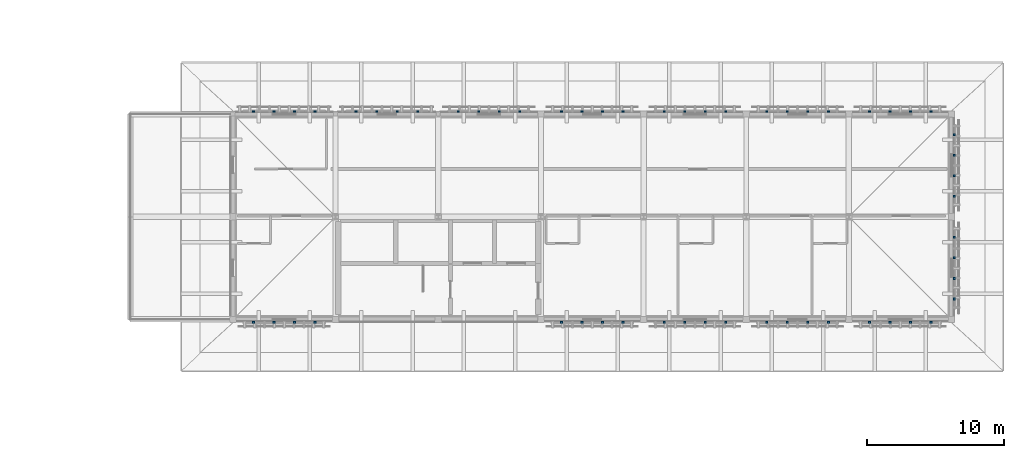
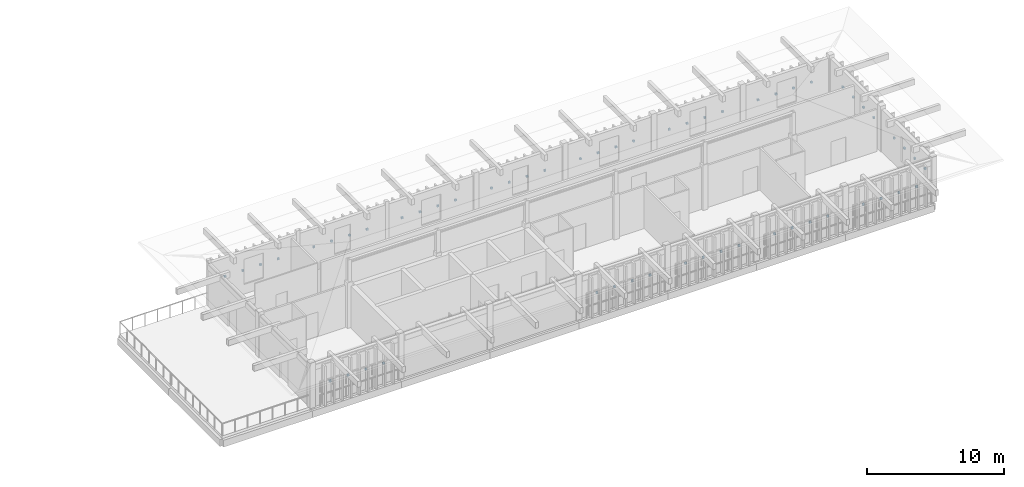
# One storey, part 21 of 33: 56 discrete accessories.
"""IFC4 building model written with IfcOpenShell, lengths in metres."""

from ifc_helpers import new_model, si_unit, direction, frame, origin, origin_2d, place, context, subcontext, project, spatial, rectangle, extrude, material, type_object, element, save


model = new_model("IFC4")

# Units and contexts
model_context = context("Model", 3, precision=1e-05, world=origin(), true_north=direction((0.0, 1.0)))
body_context = subcontext(model_context, "Body", "Model", "MODEL_VIEW")
ifc_project = project(units=[si_unit("LENGTHUNIT", "METRE"), si_unit("AREAUNIT", "SQUARE_METRE"), si_unit("VOLUMEUNIT", "CUBIC_METRE"), si_unit("PLANEANGLEUNIT", "RADIAN"), si_unit("MASSUNIT", "GRAM", prefix="KILO")], contexts=[model_context])

# Site, building, storey
site_placement = place(None, origin())
site = spatial("IfcSite", under=ifc_project, at=site_placement, CompositionType="ELEMENT")
building_placement = place(site_placement, origin())
building = spatial("IfcBuilding", under=site, at=building_placement, Name="Dalvernix Boulevard General Hospital", CompositionType="ELEMENT")
storey_placement = place(building_placement, frame((0.0, 0.0, 21.89990234375)))
storey = spatial("IfcBuildingStorey", under=building, at=storey_placement, Name="L05", CompositionType="ELEMENT", Elevation=21.89990234375)

# Discrete accessories
ifc_material = material(Name="Stainless steel 1.4404 fixing bracket", Category="steel")
discrete_accessory_type = type_object("IfcDiscreteAccessoryType", Name="ACC-BRK-01", PredefinedType="BRACKET", material=ifc_material)
for number, where, z_axis, x_axis, name in (
    (1, (126.0, 7.31005859375, 1.80517578125), (0.0, 0.0, 1.0), (-1.0, 0.0, 0.0), "L05 screen support bracket 1"),
    (2, (124.5, 7.31005859375, 1.80517578125), (0.0, 0.0, 1.0), (-1.0, 0.0, 0.0), "L05 screen support bracket 2"),
    (3, (123.0, 7.31005859375, 1.80517578125), (0.0, 0.0, 1.0), (-1.0, 0.0, 0.0), "L05 screen support bracket 3"),
    (4, (121.5, 7.31005859375, 1.80517578125), (0.0, 0.0, 1.0), (-1.0, 0.0, 0.0), "L05 screen support bracket 4"),
    (5, (121.5, 22.68994140625, 1.80517578125), (0.0, 0.0, 1.0), (1.0, 0.0, 0.0), "L05 screen support bracket 1"),
    (6, (123.0, 22.68994140625, 1.80517578125), (0.0, 0.0, 1.0), (1.0, 0.0, 0.0), "L05 screen support bracket 2"),
    (7, (124.5, 22.68994140625, 1.80517578125), (0.0, 0.0, 1.0), (1.0, 0.0, 0.0), "L05 screen support bracket 3"),
    (8, (126.0, 22.68994140625, 1.80517578125), (0.0, 0.0, 1.0), (1.0, 0.0, 0.0), "L05 screen support bracket 4"),
    (9, (129.0, 22.68994140625, 1.80517578125), (0.0, 0.0, 1.0), (1.0, 0.0, 0.0), "L05 screen support bracket 1"),
    (10, (130.5, 22.68994140625, 1.80517578125), (0.0, 0.0, 1.0), (1.0, 0.0, 0.0), "L05 screen support bracket 2"),
    (11, (132.0, 22.68994140625, 1.80517578125), (0.0, 0.0, 1.0), (1.0, 0.0, 0.0), "L05 screen support bracket 3"),
    (12, (133.5, 22.68994140625, 1.80517578125), (0.0, 0.0, 1.0), (1.0, 0.0, 0.0), "L05 screen support bracket 4"),
    (13, (136.45751953125, 22.68994140625, 1.80517578125), (0.0, 0.0, 1.0), (1.0, 0.0, 0.0), "L05 screen support bracket 1"),
    (14, (137.95751953125, 22.68994140625, 1.80517578125), (0.0, 0.0, 1.0), (1.0, 0.0, 0.0), "L05 screen support bracket 2"),
    (15, (139.45751953125, 22.68994140625, 1.80517578125), (0.0, 0.0, 1.0), (1.0, 0.0, 0.0), "L05 screen support bracket 3"),
    (16, (140.95751953125, 22.68994140625, 1.80517578125), (0.0, 0.0, 1.0), (1.0, 0.0, 0.0), "L05 screen support bracket 4"),
    (17, (148.5, 7.31005859375, 1.80517578125), (0.0, 0.0, 1.0), (-1.0, 0.0, 0.0), "L05 screen support bracket 1"),
    (18, (147.0, 7.31005859375, 1.80517578125), (0.0, 0.0, 1.0), (-1.0, 0.0, 0.0), "L05 screen support bracket 2"),
    (19, (145.5, 7.31005859375, 1.80517578125), (0.0, 0.0, 1.0), (-1.0, 0.0, 0.0), "L05 screen support bracket 3"),
    (20, (144.0, 7.31005859375, 1.80517578125), (0.0, 0.0, 1.0), (-1.0, 0.0, 0.0), "L05 screen support bracket 4"),
    (21, (144.0, 22.68994140625, 1.80517578125), (0.0, 0.0, 1.0), (1.0, 0.0, 0.0), "L05 screen support bracket 1"),
    (22, (145.5, 22.68994140625, 1.80517578125), (0.0, 0.0, 1.0), (1.0, 0.0, 0.0), "L05 screen support bracket 2"),
    (23, (147.0, 22.68994140625, 1.80517578125), (0.0, 0.0, 1.0), (1.0, 0.0, 0.0), "L05 screen support bracket 3"),
    (24, (148.5, 22.68994140625, 1.80517578125), (0.0, 0.0, 1.0), (1.0, 0.0, 0.0), "L05 screen support bracket 4"),
    (25, (156.0, 7.31005859375, 1.80517578125), (0.0, 0.0, 1.0), (-1.0, 0.0, 0.0), "L05 screen support bracket 1"),
    (26, (154.5, 7.31005859375, 1.80517578125), (0.0, 0.0, 1.0), (-1.0, 0.0, 0.0), "L05 screen support bracket 2"),
    (27, (153.0, 7.31005859375, 1.80517578125), (0.0, 0.0, 1.0), (-1.0, 0.0, 0.0), "L05 screen support bracket 3"),
    (28, (151.5, 7.31005859375, 1.80517578125), (0.0, 0.0, 1.0), (-1.0, 0.0, 0.0), "L05 screen support bracket 4"),
    (29, (151.5, 22.68994140625, 1.80517578125), (0.0, 0.0, 1.0), (1.0, 0.0, 0.0), "L05 screen support bracket 1"),
    (30, (153.0, 22.68994140625, 1.80517578125), (0.0, 0.0, 1.0), (1.0, 0.0, 0.0), "L05 screen support bracket 2"),
    (31, (154.5, 22.68994140625, 1.80517578125), (0.0, 0.0, 1.0), (1.0, 0.0, 0.0), "L05 screen support bracket 3"),
    (32, (156.0, 22.68994140625, 1.80517578125), (0.0, 0.0, 1.0), (1.0, 0.0, 0.0), "L05 screen support bracket 4"),
    (33, (163.5, 7.31005859375, 1.80517578125), (0.0, 0.0, 1.0), (-1.0, 0.0, 0.0), "L05 screen support bracket 1"),
    (34, (162.0, 7.31005859375, 1.80517578125), (0.0, 0.0, 1.0), (-1.0, 0.0, 0.0), "L05 screen support bracket 2"),
    (35, (160.5, 7.31005859375, 1.80517578125), (0.0, 0.0, 1.0), (-1.0, 0.0, 0.0), "L05 screen support bracket 3"),
    (36, (159.0, 7.31005859375, 1.80517578125), (0.0, 0.0, 1.0), (-1.0, 0.0, 0.0), "L05 screen support bracket 4"),
    (37, (159.0, 22.68994140625, 1.80517578125), (0.0, 0.0, 1.0), (1.0, 0.0, 0.0), "L05 screen support bracket 1"),
    (38, (160.5, 22.68994140625, 1.80517578125), (0.0, 0.0, 1.0), (1.0, 0.0, 0.0), "L05 screen support bracket 2"),
    (39, (162.0, 22.68994140625, 1.80517578125), (0.0, 0.0, 1.0), (1.0, 0.0, 0.0), "L05 screen support bracket 3"),
    (40, (163.5, 22.68994140625, 1.80517578125), (0.0, 0.0, 1.0), (1.0, 0.0, 0.0), "L05 screen support bracket 4"),
    (41, (171.0, 7.31005859375, 1.80517578125), (0.0, 0.0, 1.0), (-1.0, 0.0, 0.0), "L05 screen support bracket 1"),
    (42, (169.5, 7.31005859375, 1.80517578125), (0.0, 0.0, 1.0), (-1.0, 0.0, 0.0), "L05 screen support bracket 2"),
    (43, (168.0, 7.31005859375, 1.80517578125), (0.0, 0.0, 1.0), (-1.0, 0.0, 0.0), "L05 screen support bracket 3"),
    (44, (166.5, 7.31005859375, 1.80517578125), (0.0, 0.0, 1.0), (-1.0, 0.0, 0.0), "L05 screen support bracket 4"),
    (45, (172.68994140625, 13.5, 1.80517578125), (0.0, 0.0, 1.0), (0.0, -1.0, 0.0), "L05 screen support bracket 1"),
    (46, (172.68994140625, 12.0, 1.80517578125), (0.0, 0.0, 1.0), (0.0, -1.0, 0.0), "L05 screen support bracket 2"),
    (47, (172.68994140625, 10.5, 1.80517578125), (0.0, 0.0, 1.0), (0.0, -1.0, 0.0), "L05 screen support bracket 3"),
    (48, (172.68994140625, 9.0, 1.80517578125), (0.0, 0.0, 1.0), (0.0, -1.0, 0.0), "L05 screen support bracket 4"),
    (49, (166.5, 22.68994140625, 1.80517578125), (0.0, 0.0, 1.0), (1.0, 0.0, 0.0), "L05 screen support bracket 1"),
    (50, (168.0, 22.68994140625, 1.80517578125), (0.0, 0.0, 1.0), (1.0, 0.0, 0.0), "L05 screen support bracket 2"),
    (51, (169.5, 22.68994140625, 1.80517578125), (0.0, 0.0, 1.0), (1.0, 0.0, 0.0), "L05 screen support bracket 3"),
    (52, (171.0, 22.68994140625, 1.80517578125), (0.0, 0.0, 1.0), (1.0, 0.0, 0.0), "L05 screen support bracket 4"),
    (53, (172.68994140625, 21.0, 1.80517578125), (0.0, 0.0, 1.0), (0.0, -1.0, 0.0), "L05 screen support bracket 1"),
    (54, (172.68994140625, 19.5, 1.80517578125), (0.0, 0.0, 1.0), (0.0, -1.0, 0.0), "L05 screen support bracket 2"),
    (55, (172.68994140625, 18.0, 1.80517578125), (0.0, 0.0, 1.0), (0.0, -1.0, 0.0), "L05 screen support bracket 3"),
    (56, (172.68994140625, 16.5, 1.80517578125), (0.0, 0.0, 1.0), (0.0, -1.0, 0.0), "L05 screen support bracket 4"),
):
    element("IfcDiscreteAccessory", number, at=place(storey_placement, frame(where, z_axis=z_axis, x_axis=x_axis)), inside=storey, type_object=discrete_accessory_type, Name=name, PredefinedType="BRACKET", context=body_context, shape_type="SweptSolid", body=[
        extrude(rectangle(XDim=0.159912109375, YDim=0.139892578125, at=origin_2d()), origin(), (0.0, 0.0, 1.0), 0.159912109375),
    ])

save(model, "model.ifc")
